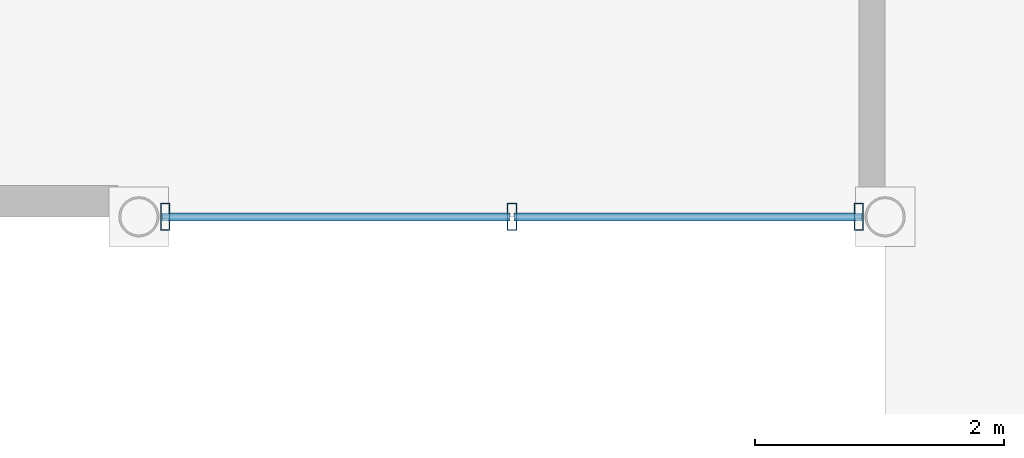
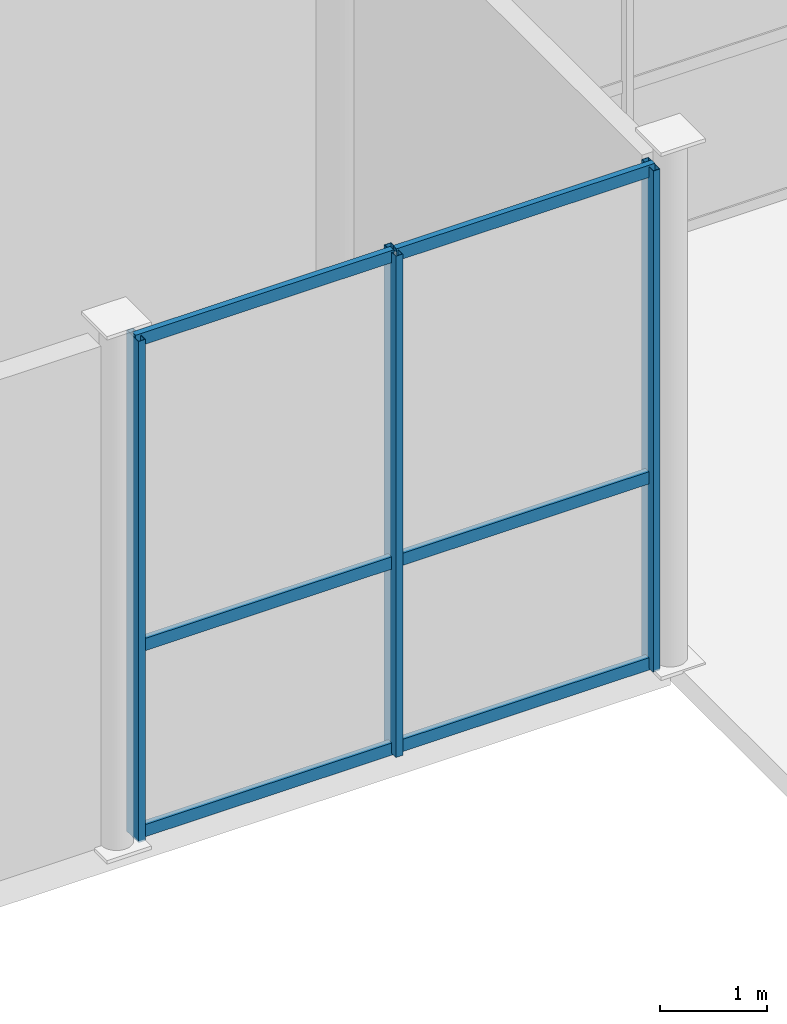
# One storey, part 21 of 106: 9 members, 1 element without a shape of its own.
"""IFC4 building model written with IfcOpenShell, lengths in metres."""

from ifc_helpers import new_model, si_unit, direction, frame, origin, origin_2d, place, context, subcontext, project, spatial, hollow_rectangle, extrude, material, material_profile, profile_set, type_object, element, aggregate, save


model = new_model("IFC4")

# Units and contexts
model_context = context("Model", 3, precision=1e-05, world=origin(), true_north=direction((0.0, 1.0)))
body_context = subcontext(model_context, "Body", "Model", "MODEL_VIEW")
ifc_project = project(units=[si_unit("LENGTHUNIT", "METRE"), si_unit("AREAUNIT", "SQUARE_METRE"), si_unit("VOLUMEUNIT", "CUBIC_METRE"), si_unit("PLANEANGLEUNIT", "RADIAN"), si_unit("MASSUNIT", "GRAM", prefix="KILO"), si_unit("THERMODYNAMICTEMPERATUREUNIT", "KELVIN"), si_unit("POWERUNIT", "WATT")], contexts=[model_context])

# Site, building, storey
site_placement = place(None, origin())
site = spatial("IfcSite", under=ifc_project, at=site_placement, CompositionType="ELEMENT")
building_placement = place(site_placement, origin())
building = spatial("IfcBuilding", under=site, at=building_placement, Name="Phaisarnlok Congress Hotel", CompositionType="ELEMENT")
storey_placement = place(building_placement, origin())
storey = spatial("IfcBuildingStorey", under=building, at=storey_placement, Name="L00", CompositionType="ELEMENT", Elevation=0.0)

# Curtain wall, members
ifc_material_1 = material(Name="Thermally Broken Unitised Aluminium & Low-E Glazing", Category="aluminium")
curtain_wall_type = type_object("IfcCurtainWallType", Name="CW-UNIT-07", PredefinedType="NOTDEFINED", material=ifc_material_1)
curtain_wall_placement = place(storey_placement, origin())
curtain_wall = element("IfcCurtainWall", 1, at=curtain_wall_placement, inside=storey, type_object=curtain_wall_type, Name="Unitised curtain wall CW-07 (L00)", PredefinedType="NOTDEFINED")
ifc_material_2 = material(Name="Anodised Aluminium Alloy 6063-T6", Category="aluminium")
ifc_material_profile_1 = material_profile(ifc_material_2, hollow_rectangle(XDim=0.074951171875, YDim=0.219970703125, WallThickness=0.0048828125, at=origin_2d()), Name="ALU-M 75x220x5")
ifc_profile_set_1 = profile_set([ifc_material_profile_1], Name="Anodised Aluminium Alloy 6063-T6")
member_type_1 = type_object("IfcMemberType", Name="CWM-220", PredefinedType="MULLION", material=ifc_profile_set_1)
member_1_placement = place(storey_placement, frame((48.2119140625, 12.0, 0.0), z_axis=(0.0, 0.0, 1.0), x_axis=(1.0, 0.0, 0.0)))
member_1 = element("IfcMember", 2, at=member_1_placement, type_object=member_type_1, Name="Curtain wall mullion CWM-02", PredefinedType="MULLION", context=body_context, shape_type="SweptSolid", body=[
    extrude(hollow_rectangle(XDim=0.074951171875, YDim=0.219970703125, WallThickness=0.0048828125, at=origin_2d()), origin(), (0.0, 0.0, 1.0), 5.739990234375),
])
member_2_placement = place(storey_placement, frame((51.0, 12.0, 0.0), z_axis=(0.0, 0.0, 1.0), x_axis=(1.0, 0.0, 0.0)))
member_2 = element("IfcMember", 3, at=member_2_placement, type_object=member_type_1, Name="Curtain wall mullion CWM-02", PredefinedType="MULLION", context=body_context, shape_type="SweptSolid", body=[
    extrude(hollow_rectangle(XDim=0.074951171875, YDim=0.219970703125, WallThickness=0.0048828125, at=origin_2d()), origin(), (0.0, 0.0, 1.0), 5.739990234375),
])
member_3_placement = place(storey_placement, frame((53.7880859375, 12.0, 0.0), z_axis=(0.0, 0.0, 1.0), x_axis=(1.0, 0.0, 0.0)))
member_3 = element("IfcMember", 4, at=member_3_placement, type_object=member_type_1, Name="Curtain wall mullion CWM-02", PredefinedType="MULLION", context=body_context, shape_type="SweptSolid", body=[
    extrude(hollow_rectangle(XDim=0.074951171875, YDim=0.219970703125, WallThickness=0.0048828125, at=origin_2d()), origin(), (0.0, 0.0, 1.0), 5.739990234375),
])
ifc_material_profile_2 = material_profile(ifc_material_2, hollow_rectangle(XDim=0.06494140625, YDim=0.139892578125, WallThickness=0.00390625, at=origin_2d()), Name="ALU-T 65x140x4")
ifc_profile_set_2 = profile_set([ifc_material_profile_2], Name="Anodised Aluminium Alloy 6063-T6")
member_type_2 = type_object("IfcMemberType", Name="CWT-150", PredefinedType="USERDEFINED", material=ifc_profile_set_2)
member_4_placement = place(storey_placement, frame((48.18701171875, 12.0, 0.050048828125), z_axis=(1.0, 0.0, 0.0), x_axis=(0.0, 1.0, 0.0)))
member_4 = element("IfcMember", 5, at=member_4_placement, type_object=member_type_2, Name="Curtain wall transom CWT-01", ObjectType="TRANSOM", PredefinedType="USERDEFINED", context=body_context, shape_type="SweptSolid", body=[
    extrude(hollow_rectangle(XDim=0.06494140625, YDim=0.139892578125, WallThickness=0.00390625, at=origin_2d()), origin(), (0.0, 0.0, 1.0), 2.798095703125),
])
member_5_placement = place(storey_placement, frame((48.18701171875, 12.0, 2.18115234375), z_axis=(1.0, 0.0, 0.0), x_axis=(0.0, 1.0, 0.0)))
member_5 = element("IfcMember", 6, at=member_5_placement, type_object=member_type_2, Name="Curtain wall transom CWT-01", ObjectType="TRANSOM", PredefinedType="USERDEFINED", context=body_context, shape_type="SweptSolid", body=[
    extrude(hollow_rectangle(XDim=0.06494140625, YDim=0.139892578125, WallThickness=0.00390625, at=origin_2d()), origin(), (0.0, 0.0, 1.0), 2.798095703125),
])
member_6_placement = place(storey_placement, frame((48.18701171875, 12.0, 5.68994140625), z_axis=(1.0, 0.0, 0.0), x_axis=(0.0, 1.0, 0.0)))
member_6 = element("IfcMember", 7, at=member_6_placement, type_object=member_type_2, Name="Curtain wall transom CWT-01", ObjectType="TRANSOM", PredefinedType="USERDEFINED", context=body_context, shape_type="SweptSolid", body=[
    extrude(hollow_rectangle(XDim=0.06494140625, YDim=0.139892578125, WallThickness=0.00390625, at=origin_2d()), origin(), (0.0, 0.0, 1.0), 2.798095703125),
])
member_7_placement = place(storey_placement, frame((51.014892578125, 12.0, 0.050048828125), z_axis=(1.0, 0.0, 0.0), x_axis=(0.0, 1.0, 0.0)))
member_7 = element("IfcMember", 8, at=member_7_placement, type_object=member_type_2, Name="Curtain wall transom CWT-01", ObjectType="TRANSOM", PredefinedType="USERDEFINED", context=body_context, shape_type="SweptSolid", body=[
    extrude(hollow_rectangle(XDim=0.06494140625, YDim=0.139892578125, WallThickness=0.00390625, at=origin_2d()), origin(), (0.0, 0.0, 1.0), 2.798095703125),
])
member_8_placement = place(storey_placement, frame((51.014892578125, 12.0, 2.18115234375), z_axis=(1.0, 0.0, 0.0), x_axis=(0.0, 1.0, 0.0)))
member_8 = element("IfcMember", 9, at=member_8_placement, type_object=member_type_2, Name="Curtain wall transom CWT-01", ObjectType="TRANSOM", PredefinedType="USERDEFINED", context=body_context, shape_type="SweptSolid", body=[
    extrude(hollow_rectangle(XDim=0.06494140625, YDim=0.139892578125, WallThickness=0.00390625, at=origin_2d()), origin(), (0.0, 0.0, 1.0), 2.798095703125),
])
member_9_placement = place(storey_placement, frame((51.014892578125, 12.0, 5.68994140625), z_axis=(1.0, 0.0, 0.0), x_axis=(0.0, 1.0, 0.0)))
member_9 = element("IfcMember", 10, at=member_9_placement, type_object=member_type_2, Name="Curtain wall transom CWT-01", ObjectType="TRANSOM", PredefinedType="USERDEFINED", context=body_context, shape_type="SweptSolid", body=[
    extrude(hollow_rectangle(XDim=0.06494140625, YDim=0.139892578125, WallThickness=0.00390625, at=origin_2d()), origin(), (0.0, 0.0, 1.0), 2.798095703125),
])
aggregate(curtain_wall, [member_1, member_2, member_3, member_4, member_5, member_6, member_7, member_8, member_9])

save(model, "model.ifc")
